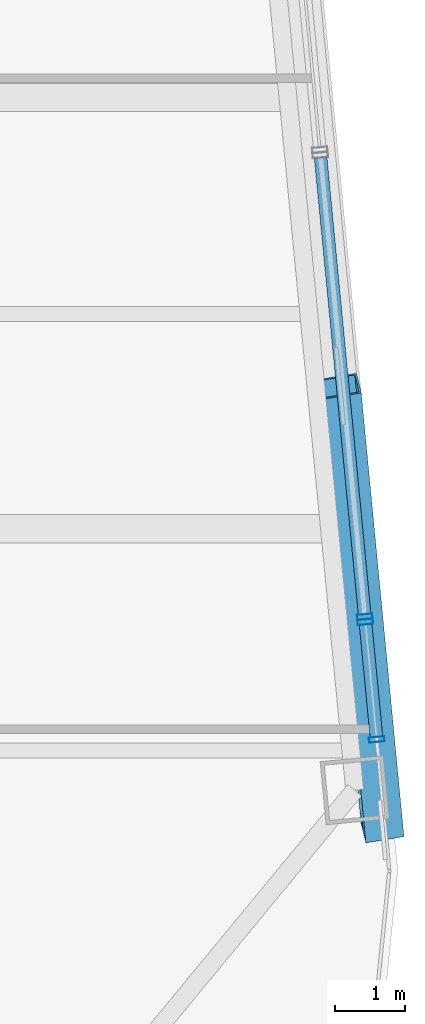
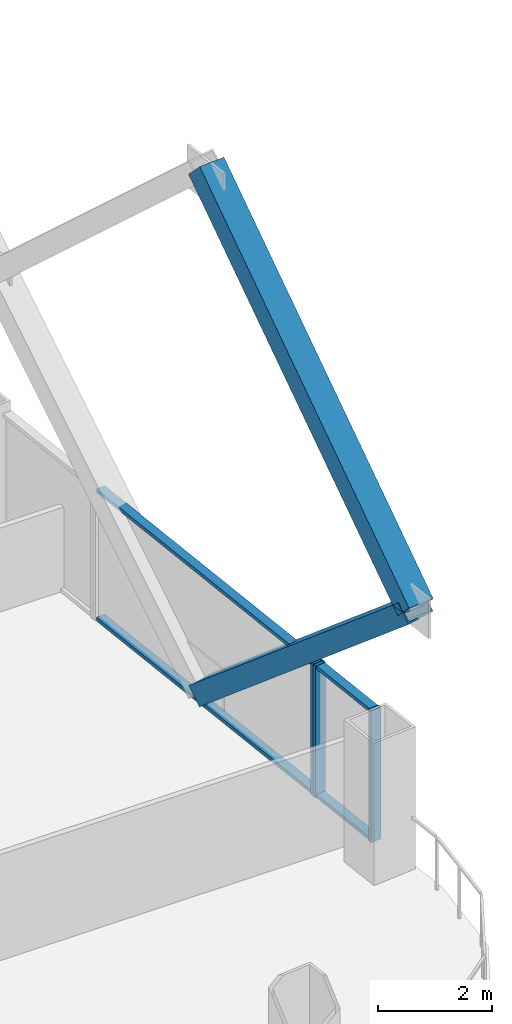
# One storey, part 14 of 32: 9 members, 2 elements without a shape of their own.
"""IFC4 building model written with IfcOpenShell, lengths in metres."""

from ifc_helpers import new_model, si_unit, direction, frame, origin, origin_2d, place, context, subcontext, project, spatial, hollow_rectangle, extrude, material, layer, layer_set, material_profile, profile_set, type_object, element, aggregate, save


model = new_model("IFC4")

# Units and contexts
model_context = context("Model", 3, precision=1e-05, world=origin(), true_north=direction((0.0, 1.0)))
body_context = subcontext(model_context, "Body", "Model", "MODEL_VIEW")
ifc_project = project(units=[si_unit("LENGTHUNIT", "METRE"), si_unit("AREAUNIT", "SQUARE_METRE"), si_unit("VOLUMEUNIT", "CUBIC_METRE"), si_unit("PLANEANGLEUNIT", "RADIAN"), si_unit("MASSUNIT", "GRAM", prefix="KILO")], contexts=[model_context])

# Site, building, storey
site_placement = place(None, origin())
site = spatial("IfcSite", under=ifc_project, at=site_placement, CompositionType="ELEMENT")
building_placement = place(site_placement, origin())
building = spatial("IfcBuilding", under=site, at=building_placement, Name="Qhalaya Broadcast Tower", CompositionType="ELEMENT")
storey_placement = place(building_placement, frame((0.0, 0.0, 81.64990234375)))
storey = spatial("IfcBuildingStorey", under=building, at=storey_placement, Name="L23", CompositionType="ELEMENT", Elevation=81.64990234375)

# Members
ifc_material_1 = material(Name="Structural Steel ASTM A572 Grade 50", Category="steel")
ifc_material_profile_1 = material_profile(ifc_material_1, hollow_rectangle(XDim=0.419921875, YDim=0.550048828125, WallThickness=0.028076171875, at=origin_2d()), Name="BOX 420x550x28")
ifc_profile_set_1 = profile_set([ifc_material_profile_1], Name="Structural Steel ASTM A572 Grade 50")
member_type_1 = type_object("IfcMemberType", Name="Exoskeleton Diamond Diagonal Mid-Low EX2", PredefinedType="BRACE", material=ifc_profile_set_1)
member_1_placement = place(storey_placement, frame((29.08154296875, -6.725830078125, 0.360107421875), z_axis=(0.073066636585, -0.758635580976, 0.647405067864), x_axis=(-0.157184996454, 0.632267567763, 0.758637330775)))
element("IfcMember", 1, at=member_1_placement, inside=storey, type_object=member_type_1, Name="B2 Exoskeleton Diamond Brace E1-D1", PredefinedType="BRACE", context=body_context, shape_type="SweptSolid", body=[
    extrude(hollow_rectangle(XDim=0.419921875, YDim=0.550048828125, WallThickness=0.028076171875, at=origin_2d()), origin(), (0.0, 0.0, 1.0), 8.309814453125),
])
member_2_placement = place(storey_placement, frame((29.688720703125, -13.030029296875, 5.739990234375), z_axis=(-0.070368182799, 0.730618100613, 0.6791505797), x_axis=(0.160214414414, -0.663721379818, 0.730619785789)))
element("IfcMember", 2, at=member_2_placement, inside=storey, type_object=member_type_1, Name="B2 Exoskeleton Diamond Brace E1-D3", PredefinedType="BRACE", context=body_context, shape_type="SweptSolid", body=[
    extrude(hollow_rectangle(XDim=0.419921875, YDim=0.550048828125, WallThickness=0.028076171875, at=origin_2d()), origin(), (0.0, 0.0, 1.0), 8.628662109375),
])

# Curtain wall, members
ifc_material_2 = material(Name="Solar-Control Low-E Triple Glazing", Category="glass")
ifc_layer_1 = layer(ifc_material_2, 0.219970703125, Name="Solar-Control Low-E Triple Glazing")
ifc_layer_set_1 = layer_set([ifc_layer_1], Name="Solar-Control Low-E Triple Glazing")
curtain_wall_type_1 = type_object("IfcCurtainWallType", Name="Even-Block 4-Storey Double-Module Curtain Wall CW-03", PredefinedType="NOTDEFINED", material=ifc_layer_set_1)
curtain_wall_1_placement = place(storey_placement, origin())
curtain_wall_1 = element("IfcCurtainWall", 3, at=curtain_wall_1_placement, inside=storey, type_object=curtain_wall_type_1, Name="L23 Unitised Curtain Wall L23-CW-E1", PredefinedType="NOTDEFINED")
ifc_material_3 = material(Name="Anodised Aluminium 6063-T6", Category="aluminium")
ifc_material_profile_2 = material_profile(ifc_material_3, hollow_rectangle(XDim=0.074951171875, YDim=0.219970703125, WallThickness=0.00390625, at=origin_2d()), Name="ALU-MUL 75x220x4")
ifc_profile_set_2 = profile_set([ifc_material_profile_2], Name="Anodised Aluminium 6063-T6")
member_type_2 = type_object("IfcMemberType", Name="Unitised Curtain-Wall Mullion M01", PredefinedType="MULLION", material=ifc_profile_set_2)
member_3_placement = place(storey_placement, frame((29.60498046875, -11.74462890625, 0.0), z_axis=(0.0, 0.0, 1.0), x_axis=(-0.095835306252, 0.995397204173, 0.0)))
member_3 = element("IfcMember", 4, at=member_3_placement, type_object=member_type_2, Name="CW-03 mullion 1", PredefinedType="MULLION", context=body_context, shape_type="SweptSolid", body=[
    extrude(hollow_rectangle(XDim=0.074951171875, YDim=0.219970703125, WallThickness=0.00390625, at=origin_2d()), origin(), (0.0, 0.0, 1.0), 2.830078125),
])
member_4_placement = place(storey_placement, frame((29.4443359375, -10.075439453125, 0.0), z_axis=(0.0, 0.0, 1.0), x_axis=(-0.095835306252, 0.995397204173, 0.0)))
member_4 = element("IfcMember", 5, at=member_4_placement, type_object=member_type_2, Name="CW-03 mullion 2", PredefinedType="MULLION", context=body_context, shape_type="SweptSolid", body=[
    extrude(hollow_rectangle(XDim=0.074951171875, YDim=0.219970703125, WallThickness=0.00390625, at=origin_2d()), origin(), (0.0, 0.0, 1.0), 2.830078125),
])

# Curtain wall, member
ifc_material_4 = material(Name="Fired Architectural Terracotta", Category="masonry")
ifc_layer_2 = layer(ifc_material_4, 0.219970703125, Name="Fired Architectural Terracotta")
ifc_layer_set_2 = layer_set([ifc_layer_2], Name="Fired Architectural Terracotta")
curtain_wall_type_2 = type_object("IfcCurtainWallType", Name="Block-Cap Unitised Terracotta Spandrel Wall CW-07", PredefinedType="NOTDEFINED", material=ifc_layer_set_2)
curtain_wall_2_placement = place(storey_placement, origin())
curtain_wall_2 = element("IfcCurtainWall", 6, at=curtain_wall_2_placement, inside=storey, type_object=curtain_wall_type_2, Name="L23 Unitised Curtain Wall L23-CW-E2", PredefinedType="NOTDEFINED")
member_5_placement = place(storey_placement, frame((29.43701171875, -10.000732421875, 0.0), z_axis=(0.0, 0.0, 1.0), x_axis=(-0.095856535899, 0.995395159987, 0.0)))
member_5 = element("IfcMember", 7, at=member_5_placement, type_object=member_type_2, Name="CW-07 mullion 1", PredefinedType="MULLION", context=body_context, shape_type="SweptSolid", body=[
    extrude(hollow_rectangle(XDim=0.074951171875, YDim=0.219970703125, WallThickness=0.00390625, at=origin_2d()), origin(), (0.0, 0.0, 1.0), 2.830078125),
])

# Member
ifc_material_profile_3 = material_profile(ifc_material_3, hollow_rectangle(XDim=0.074951171875, YDim=0.179931640625, WallThickness=0.00390625, at=origin_2d()), Name="ALU-TRN 75x180x4")
ifc_profile_set_3 = profile_set([ifc_material_profile_3], Name="Anodised Aluminium 6063-T6")
member_type_3 = type_object("IfcMemberType", Name="Unitised Curtain-Wall Transom T01", PredefinedType="USERDEFINED", material=ifc_profile_set_3)
member_6_placement = place(storey_placement, frame((29.601318359375, -11.707275390625, 0.03759765625), z_axis=(-0.095715310811, 0.995408749849, 0.0), x_axis=(0.0, 0.0, 1.0)))
member_6 = element("IfcMember", 8, at=member_6_placement, type_object=member_type_3, Name="CW-03 transom 1.1", ObjectType="TRANSOM", PredefinedType="USERDEFINED", context=body_context, shape_type="SweptSolid", body=[
    extrude(hollow_rectangle(XDim=0.074951171875, YDim=0.179931640625, WallThickness=0.00390625, at=origin_2d()), origin(), (0.0, 0.0, 1.0), 1.601806640625),
])

member_7_placement = place(storey_placement, frame((29.601318359375, -11.707275390625, 2.79248046875), z_axis=(-0.095715310811, 0.995408749849, 0.0), x_axis=(0.0, 0.0, 1.0)))
member_7 = element("IfcMember", 9, at=member_7_placement, type_object=member_type_3, Name="CW-03 transom 1.2", ObjectType="TRANSOM", PredefinedType="USERDEFINED", context=body_context, shape_type="SweptSolid", body=[
    extrude(hollow_rectangle(XDim=0.074951171875, YDim=0.179931640625, WallThickness=0.00390625, at=origin_2d()), origin(), (0.0, 0.0, 1.0), 1.601806640625),
])

aggregate(curtain_wall_1, [member_3, member_4, member_6, member_7])

member_8_placement = place(storey_placement, frame((29.43359375, -9.96337890625, 0.03759765625), z_axis=(-0.095888116239, 0.995392118295, 0.0), x_axis=(0.0, 0.0, 1.0)))
member_8 = element("IfcMember", 10, at=member_8_placement, type_object=member_type_3, Name="CW-07 transom 1.1", ObjectType="TRANSOM", PredefinedType="USERDEFINED", context=body_context, shape_type="SweptSolid", body=[
    extrude(hollow_rectangle(XDim=0.074951171875, YDim=0.179931640625, WallThickness=0.00390625, at=origin_2d()), origin(), (0.0, 0.0, 1.0), 6.512939453125),
])

member_9_placement = place(storey_placement, frame((29.43359375, -9.96337890625, 2.79248046875), z_axis=(-0.095888116239, 0.995392118295, 0.0), x_axis=(0.0, 0.0, 1.0)))
member_9 = element("IfcMember", 11, at=member_9_placement, type_object=member_type_3, Name="CW-07 transom 1.2", ObjectType="TRANSOM", PredefinedType="USERDEFINED", context=body_context, shape_type="SweptSolid", body=[
    extrude(hollow_rectangle(XDim=0.074951171875, YDim=0.179931640625, WallThickness=0.00390625, at=origin_2d()), origin(), (0.0, 0.0, 1.0), 6.512939453125),
])

aggregate(curtain_wall_2, [member_5, member_8, member_9])

save(model, "model.ifc")
